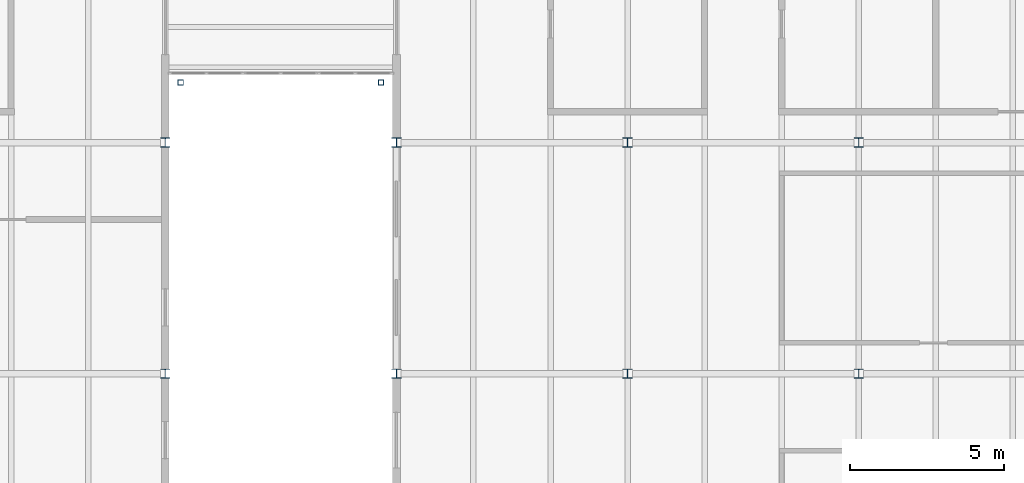
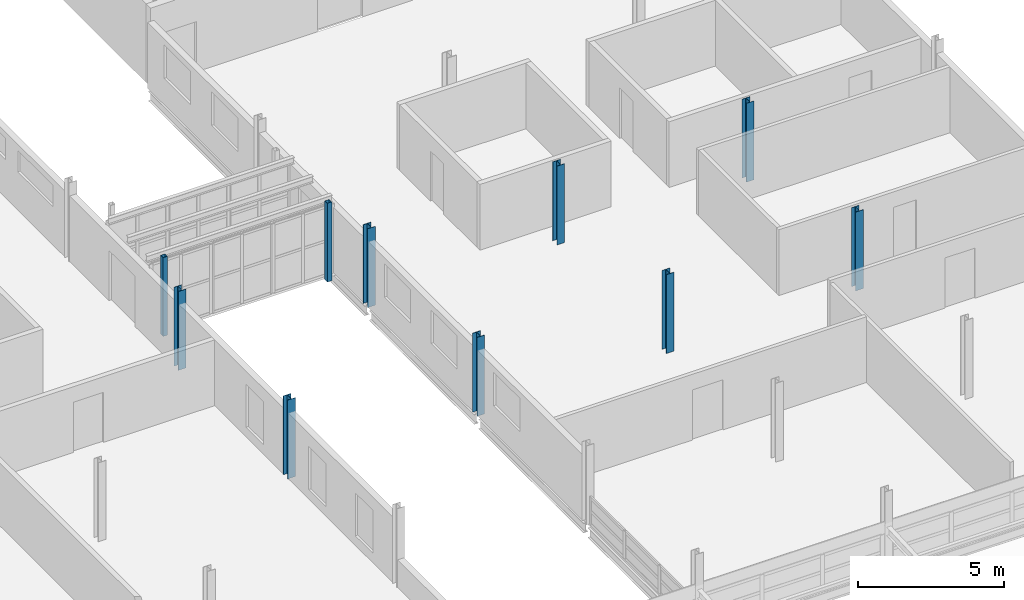
# One storey, part 20 of 214: 10 columns.
"""IFC4 building model written with IfcOpenShell, lengths in metres."""

from ifc_helpers import new_model, si_unit, direction, frame, origin, origin_2d, place, context, subcontext, project, spatial, hollow_rectangle, i_section, extrude, material, material_profile, profile_set, type_object, element, save


model = new_model("IFC4")

# Units and contexts
model_context = context("Model", 3, precision=1e-05, world=origin(), true_north=direction((0.0, 1.0)))
body_context = subcontext(model_context, "Body", "Model", "MODEL_VIEW")
ifc_project = project(units=[si_unit("LENGTHUNIT", "METRE"), si_unit("AREAUNIT", "SQUARE_METRE"), si_unit("VOLUMEUNIT", "CUBIC_METRE"), si_unit("PLANEANGLEUNIT", "RADIAN"), si_unit("MASSUNIT", "GRAM", prefix="KILO")], contexts=[model_context])

# Site, building, storey
site_placement = place(None, origin())
site = spatial("IfcSite", under=ifc_project, at=site_placement, CompositionType="ELEMENT")
building_placement = place(site_placement, origin())
building = spatial("IfcBuilding", under=site, at=building_placement, Name="Parallax Yard Mobility Hub", CompositionType="ELEMENT")
storey_placement = place(building_placement, frame((0.0, 0.0, 3.300048828125)))
storey = spatial("IfcBuildingStorey", under=building, at=storey_placement, Name="L01", CompositionType="ELEMENT", Elevation=3.300048828125)

# Columns
ifc_material_1 = material(Name="Steel ASTM A500 Gr C", Category="steel")
ifc_material_profile_1 = material_profile(ifc_material_1, hollow_rectangle(XDim=0.177734375, YDim=0.177734375, WallThickness=0.009521484375, at=origin_2d()), Name="HSS178x178x9.5")
ifc_profile_set_1 = profile_set([ifc_material_profile_1], Name="Steel ASTM A500 Gr C")
column_type_1 = type_object("IfcColumnType", Name="Roof column HSS178x178x9.5", PredefinedType="COLUMN", material=ifc_profile_set_1)
for number, where, z_axis, x_axis, name in (
    (1, (143.0, 31.949951171875, 0.0), (0.0, 0.0, 1.0), (1.0, 0.0, 0.0), "Bridge BR3 level L02 roof pier 1 at y 31.95 level L01"),
    (2, (149.5, 31.949951171875, 0.0), (0.0, 0.0, 1.0), (1.0, 0.0, 0.0), "Bridge BR3 level L02 roof pier 2 at y 31.95 level L01"),
):
    element("IfcColumn", number, at=place(storey_placement, frame(where, z_axis=z_axis, x_axis=x_axis)), inside=storey, type_object=column_type_1, Name=name, PredefinedType="COLUMN", context=body_context, shape_type="SweptSolid", body=[
        extrude(hollow_rectangle(XDim=0.177734375, YDim=0.177734375, WallThickness=0.009521484375, at=origin_2d()), origin(), (0.0, 0.0, 1.0), 3.300048828125),
    ])
ifc_material_2 = material(Name="Steel ASTM A992", Category="steel")
ifc_material_profile_2 = material_profile(ifc_material_2, i_section(OverallWidth=0.304931640625, OverallDepth=0.306884765625, WebThickness=0.010009765625, FlangeThickness=0.015380859375, FilletRadius=0.01513671875, at=origin_2d()), Name="W310x97")
ifc_profile_set_2 = profile_set([ifc_material_profile_2], Name="Steel ASTM A992")
column_type_2 = type_object("IfcColumnType", Name="W310x97 column", PredefinedType="COLUMN", material=ifc_profile_set_2)
for number, where, z_axis, x_axis, name in (
    (3, (150.0, 22.5, 0.0), (0.0, 0.0, 1.0), (1.0, 0.0, 0.0), "Column C1 level L01 at D/21 of bicycle and shared-mobility hall"),
    (4, (150.0, 30.0, 0.0), (0.0, 0.0, 1.0), (1.0, 0.0, 0.0), "Column C1 level L01 at E/21 of bicycle and shared-mobility hall"),
    (5, (157.5, 22.5, 0.0), (0.0, 0.0, 1.0), (1.0, 0.0, 0.0), "Column C1 level L01 at D/22 of bicycle and shared-mobility hall"),
    (6, (157.5, 30.0, 0.0), (0.0, 0.0, 1.0), (1.0, 0.0, 0.0), "Column C1 level L01 at E/22 of bicycle and shared-mobility hall"),
    (7, (165.0, 22.5, 0.0), (0.0, 0.0, 1.0), (1.0, 0.0, 0.0), "Column C1 level L01 at D/23 of bicycle and shared-mobility hall"),
    (8, (165.0, 30.0, 0.0), (0.0, 0.0, 1.0), (1.0, 0.0, 0.0), "Column C1 level L01 at E/23 of bicycle and shared-mobility hall"),
    (9, (142.5, 22.5, 0.0), (0.0, 0.0, 1.0), (1.0, 0.0, 0.0), "Column C1 level L01 at D/20 of mobility service centre and workshops"),
    (10, (142.5, 30.0, 0.0), (0.0, 0.0, 1.0), (1.0, 0.0, 0.0), "Column C1 level L01 at E/20 of mobility service centre and workshops"),
):
    element("IfcColumn", number, at=place(storey_placement, frame(where, z_axis=z_axis, x_axis=x_axis)), inside=storey, type_object=column_type_2, Name=name, PredefinedType="COLUMN", context=body_context, shape_type="SweptSolid", body=[
        extrude(i_section(OverallWidth=0.304931640625, OverallDepth=0.306884765625, WebThickness=0.010009765625, FlangeThickness=0.015380859375, FilletRadius=0.01513671875, at=origin_2d()), origin(), (0.0, 0.0, 1.0), 3.300048828125),
    ])

save(model, "model.ifc")
